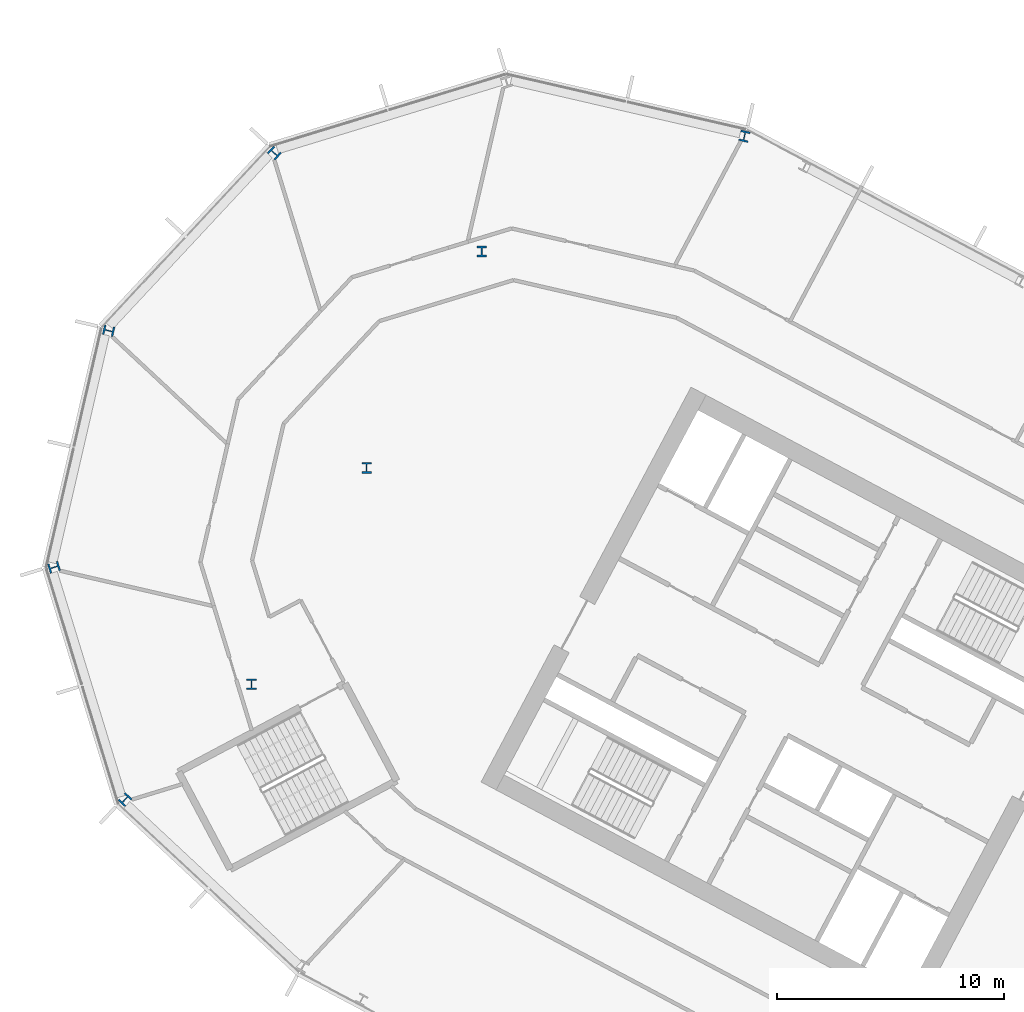
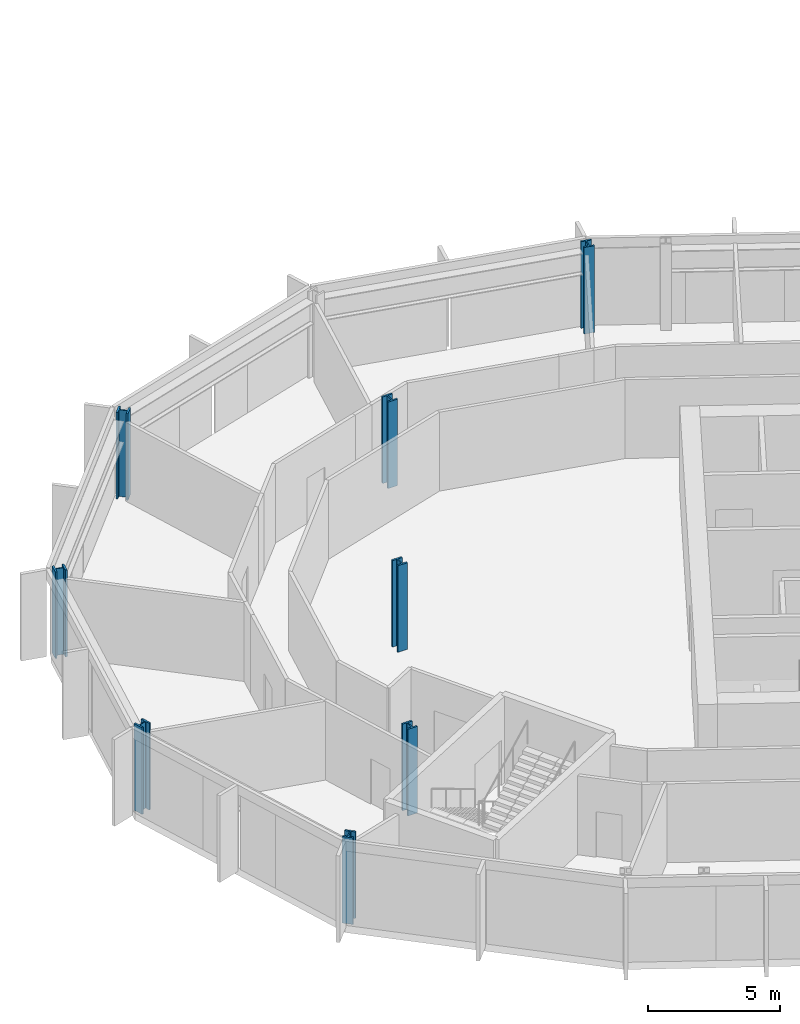
# One storey, part 3 of 28: 8 columns.
"""IFC4 building model written with IfcOpenShell, lengths in metres."""

import ifcopenshell
import ifcopenshell.guid

model = None  # the IFC model being written
_history = None  # IfcOwnerHistory: only IFC2X3 demands one
_inside = {}  # id of a spatial element -> (the spatial element, [elements in it])
_under = {}  # id of a project, library or spatial element -> (it, [spatial elements below it])
_declared = {}  # id of a project -> (the project, [libraries it declares])
_typed = {}  # id of a type object -> (the type object, [elements of that type])
_made_of = {}  # id of a material, layer set ... -> (it, [elements and type objects made of it])


def new_model(schema):
    """Start an empty IFC model of exactly this schema.

    Asked for "IFC4X3", IfcOpenShell would pick the latest addendum, in which some entities
    have other attributes; the version numbers below select the first issue.
    IFC2X3 requires an IfcOwnerHistory on every rooted entity: one is made here for all.
    """
    global model, _history
    if schema == "IFC4X3":
        model = ifcopenshell.file(schema_version=(4, 3, 0, 0))
    else:
        model = ifcopenshell.file(schema=schema)
    _inside.clear()
    _under.clear()
    _declared.clear()
    _typed.clear()
    _made_of.clear()
    _history = None
    if model.schema == "IFC2X3":
        org = make("IfcOrganization", Name="unknown")
        user = make(
            "IfcPersonAndOrganization",
            ThePerson=make("IfcPerson", FamilyName="unknown"),
            TheOrganization=org,
        )
        app = make(
            "IfcApplication",
            ApplicationDeveloper=org,
            Version="unknown",
            ApplicationFullName="unknown",
            ApplicationIdentifier="unknown",
        )
        _history = make(
            "IfcOwnerHistory",
            OwningUser=user,
            OwningApplication=app,
            ChangeAction="ADDED",
            CreationDate=0,
        )
    return model


def make(cls, **values):
    """One entity of the class cls with the attributes given. An attribute that is None is left unset."""
    return model.create_entity(
        cls, **{name: value for name, value in values.items() if value is not None}
    )


def rooted(cls, **values):
    """An entity with a GlobalId (a new one), such as an element, a storey or a relation."""
    return make(cls, GlobalId=ifcopenshell.guid.new(), OwnerHistory=_history, **values)


def si_unit(unit_type, name, prefix=None):
    """IfcSIUnit, for example si_unit("LENGTHUNIT", "METRE", prefix="MILLI")."""
    return make("IfcSIUnit", UnitType=unit_type, Prefix=prefix, Name=name)


def assignment(units):
    """IfcUnitAssignment: the units of a project."""
    return None if units is None else make("IfcUnitAssignment", Units=units)


def point(xyz):
    """IfcCartesianPoint."""
    return None if xyz is None else make("IfcCartesianPoint", Coordinates=xyz)


def direction(xyz):
    """IfcDirection."""
    return None if xyz is None else make("IfcDirection", DirectionRatios=xyz)


def frame(location, z_axis=None, x_axis=None):
    """IfcAxis2Placement3D, a coordinate frame: its origin and axes. An axis left out is left unset."""
    return make(
        "IfcAxis2Placement3D",
        Location=point(location),
        Axis=direction(z_axis),
        RefDirection=direction(x_axis),
    )


def frame_2d(location, x_axis=None):
    """IfcAxis2Placement2D, a coordinate frame in the plane: its origin and x axis."""
    return make(
        "IfcAxis2Placement2D", Location=point(location), RefDirection=direction(x_axis)
    )


def origin():
    """The frame at (0, 0, 0) with its axes left unset."""
    return frame((0.0, 0.0, 0.0))


def origin_2d():
    """The frame at (0, 0) in the plane with its x axis left unset."""
    return frame_2d((0.0, 0.0))


def place(relative_to, where):
    """IfcLocalPlacement: puts the frame where relative to a parent placement (None: the world)."""
    return make(
        "IfcLocalPlacement", PlacementRelTo=relative_to, RelativePlacement=where
    )


def context(
    kind, dimensions, precision=None, world=None, true_north=None, identifier=None
):
    """IfcGeometricRepresentationContext, for example the 3D "Model" context."""
    return make(
        "IfcGeometricRepresentationContext",
        ContextIdentifier=identifier,
        ContextType=kind,
        CoordinateSpaceDimension=dimensions,
        Precision=precision,
        WorldCoordinateSystem=world,
        TrueNorth=true_north,
    )


def subcontext(parent, identifier, kind, view, scale=None):
    """IfcGeometricRepresentationSubContext, for example "Body" below "Model"."""
    return make(
        "IfcGeometricRepresentationSubContext",
        ContextIdentifier=identifier,
        ContextType=kind,
        ParentContext=parent,
        TargetScale=scale,
        TargetView=view,
    )


def project(units=None, contexts=None):
    """IfcProject with its units and contexts."""
    return rooted(
        "IfcProject",
        Name="project",
        RepresentationContexts=contexts,
        UnitsInContext=assignment(units),
    )


def spatial(cls, under=None, at=None, **own):
    """A site, building, storey or space (cls), placed at a placement, below another one or the project."""
    s = rooted(cls, ObjectPlacement=at, **own)
    if under is not None:
        _under.setdefault(under.id(), (under, []))[1].append(s)
    return s


def profile(cls, at=None, kind="AREA", **sizes):
    """A parametric profile (cls). Its sizes go by their IFC names, for example OverallWidth=200.0."""
    return make(cls, ProfileType=kind, Position=at, **sizes)


def i_section(**sizes):
    """IfcIShapeProfileDef."""
    return profile("IfcIShapeProfileDef", **sizes)


def extrude(swept, where, along, depth):
    """IfcExtrudedAreaSolid: the profile swept, set in the frame where, extruded along a direction by depth."""
    return make(
        "IfcExtrudedAreaSolid",
        SweptArea=swept,
        Position=where,
        ExtrudedDirection=direction(along),
        Depth=depth,
    )


def shape(context_of_items, identifier, shape_type, items):
    """IfcShapeRepresentation: the items that make up one representation, for example the "Body"."""
    return make(
        "IfcShapeRepresentation",
        ContextOfItems=context_of_items,
        RepresentationIdentifier=identifier,
        RepresentationType=shape_type,
        Items=items,
    )


def material(Name=None, Category=None):
    """IfcMaterial."""
    return make("IfcMaterial", Name=Name, Category=Category)


def material_profile(
    of_material, cross_section, Name=None, Category=None, Priority=None
):
    """IfcMaterialProfile: a cross section and its material."""
    return make(
        "IfcMaterialProfile",
        Name=Name,
        Material=of_material,
        Profile=cross_section,
        Priority=Priority,
        Category=Category,
    )


def profile_set(profiles, Name=None, composite=None):
    """IfcMaterialProfileSet."""
    return make(
        "IfcMaterialProfileSet",
        Name=Name,
        MaterialProfiles=profiles,
        CompositeProfile=composite,
    )


def made_of(thing, what):
    """Note that an element or type object is made of a material, layer set ...; save() writes the relation."""
    if what is not None:
        _made_of.setdefault(what.id(), (what, []))[1].append(thing)
    return thing


def type_object(cls, material=None, **own):
    """A type object (cls), such as IfcWallType, which elements share."""
    return made_of(rooted(cls, **own), material)


def element(
    cls,
    number,
    at=None,
    inside=None,
    cuts=None,
    type_object=None,
    material=None,
    context=None,
    identifier="Body",
    shape_type=None,
    held_by="IfcProductDefinitionShape",
    body=None,
    shapes=None,
    **own,
):
    """One element of the class cls, such as IfcWall. Its Tag is "e" and its number.

    at: its placement. inside: the storey or other place that contains it. cuts: it is an
    opening in that element (IfcRelVoidsElement). A single representation is given by context,
    identifier, shape_type and body (its items); several are given by shapes. held_by: the class
    of the entity that holds the representations. save() writes the other relations.
    """
    e = rooted(cls, Tag="e%d" % number, ObjectPlacement=at, **own)
    if body is not None:
        shapes = [shape(context, identifier, shape_type, body)]
    if shapes is not None:
        e.Representation = make(held_by, Representations=shapes)
    if inside is not None:
        _inside.setdefault(inside.id(), (inside, []))[1].append(e)
    if cuts is not None:
        rooted(
            "IfcRelVoidsElement", RelatingBuildingElement=cuts, RelatedOpeningElement=e
        )
    if type_object is not None:
        _typed.setdefault(type_object.id(), (type_object, []))[1].append(e)
    return made_of(e, material)


def aggregate(whole, parts):
    """IfcRelAggregates: a whole, such as a stair, and the parts it consists of."""
    return rooted("IfcRelAggregates", RelatingObject=whole, RelatedObjects=parts)


def save(model, path):
    """Write the relations noted so far, then the file.

    IfcRelAggregates (storeys below a building ...), IfcRelContainedInSpatialStructure (elements
    in a storey), IfcRelDefinesByType, IfcRelAssociatesMaterial and IfcRelDeclares: one each for
    every whole, place, type object, material and project.
    """
    for whole, parts in _under.values():
        aggregate(whole, parts)
    for where, things in _inside.values():
        rooted(
            "IfcRelContainedInSpatialStructure",
            RelatedElements=things,
            RelatingStructure=where,
        )
    for kind, things in _typed.values():
        rooted("IfcRelDefinesByType", RelatedObjects=things, RelatingType=kind)
    for what, things in _made_of.values():
        rooted("IfcRelAssociatesMaterial", RelatedObjects=things, RelatingMaterial=what)
    for by, libraries in _declared.values():
        rooted("IfcRelDeclares", RelatingContext=by, RelatedDefinitions=libraries)
    model.write(path)


model = new_model("IFC4")

# Units and contexts
model_context = context("Model", 3, precision=1e-05, world=origin(), true_north=direction((0.0, 1.0)))
body_context = subcontext(model_context, "Body", "Model", "MODEL_VIEW")
ifc_project = project(units=[si_unit("LENGTHUNIT", "METRE"), si_unit("AREAUNIT", "SQUARE_METRE"), si_unit("VOLUMEUNIT", "CUBIC_METRE"), si_unit("PLANEANGLEUNIT", "RADIAN"), si_unit("MASSUNIT", "GRAM", prefix="KILO")], contexts=[model_context])

# Site, building, storey
site_placement = place(None, origin())
site = spatial("IfcSite", under=ifc_project, at=site_placement, CompositionType="ELEMENT")
building_placement = place(site_placement, origin())
building = spatial("IfcBuilding", under=site, at=building_placement, Name="Cormorant Relay Tower", CompositionType="ELEMENT")
storey_placement = place(building_placement, frame((0.0, 0.0, 154.199951171875)))
storey = spatial("IfcBuildingStorey", under=building, at=storey_placement, Name="L32", CompositionType="ELEMENT", Elevation=154.199951171875)

# Columns
ifc_material = material(Name="Steel ASTM A992 (Fy 345 MPa)", Category="steel")
ifc_material_profile = material_profile(ifc_material, i_section(OverallWidth=0.42431640625, OverallDepth=0.47509765625, WebThickness=0.0478515625, FlangeThickness=0.0771484375, FilletRadius=0.014892578125, at=origin_2d()), Name="W360x634")
ifc_profile_set = profile_set([ifc_material_profile], Name="Steel ASTM A992 (Fy 345 MPa)")
column_type = type_object("IfcColumnType", Name="Column W360x634", PredefinedType="COLUMN", material=ifc_profile_set)
for number, where, z_axis, x_axis, name in (
    (1, (-57.261962890625, 10.173095703125, 0.0), (0.0, 0.0, 1.0), (0.731353701619, -0.681998360062, 0.0), "Column L32-022"),
    (2, (-51.68994140625, 15.251953125, 0.0), (0.0, 0.0, 1.0), (1.0, 0.0, 0.0), "Column L32-028"),
    (3, (-60.389892578125, 20.405029296875, 0.0), (0.0, 0.0, 1.0), (0.292371704723, -0.956304755963, 0.0), "Column L32-030"),
    (4, (-46.6201171875, 24.7880859375, 0.0), (0.0, 0.0, 1.0), (1.0, 0.0, 0.0), "Column L32-033"),
    (5, (-57.98291015625, 30.830078125, 0.0), (0.0, 0.0, 1.0), (-0.224951054344, -0.974370064785, 0.0), "Column L32-037"),
    (6, (-41.549072265625, 34.323974609375, 0.0), (0.0, 0.0, 1.0), (1.0, 0.0, 0.0), "Column L32-041"),
    (7, (-50.68603515625, 38.655029296875, 0.0), (0.0, 0.0, 1.0), (-0.681998360062, -0.731353701619, 0.0), "Column L32-045"),
    (8, (-29.97509765625, 39.39599609375, 0.0), (0.0, 0.0, 1.0), (-0.974370064785, 0.224951054344, 0.0), "Column L32-046"),
):
    element("IfcColumn", number, at=place(storey_placement, frame(where, z_axis=z_axis, x_axis=x_axis)), inside=storey, type_object=column_type, Name=name, PredefinedType="COLUMN", context=body_context, shape_type="SweptSolid", body=[
        extrude(i_section(OverallWidth=0.42431640625, OverallDepth=0.47509765625, WebThickness=0.0478515625, FlangeThickness=0.0771484375, FilletRadius=0.014892578125, at=origin_2d()), origin(), (0.0, 0.0, 1.0), 4.0),
    ])

save(model, "model.ifc")
